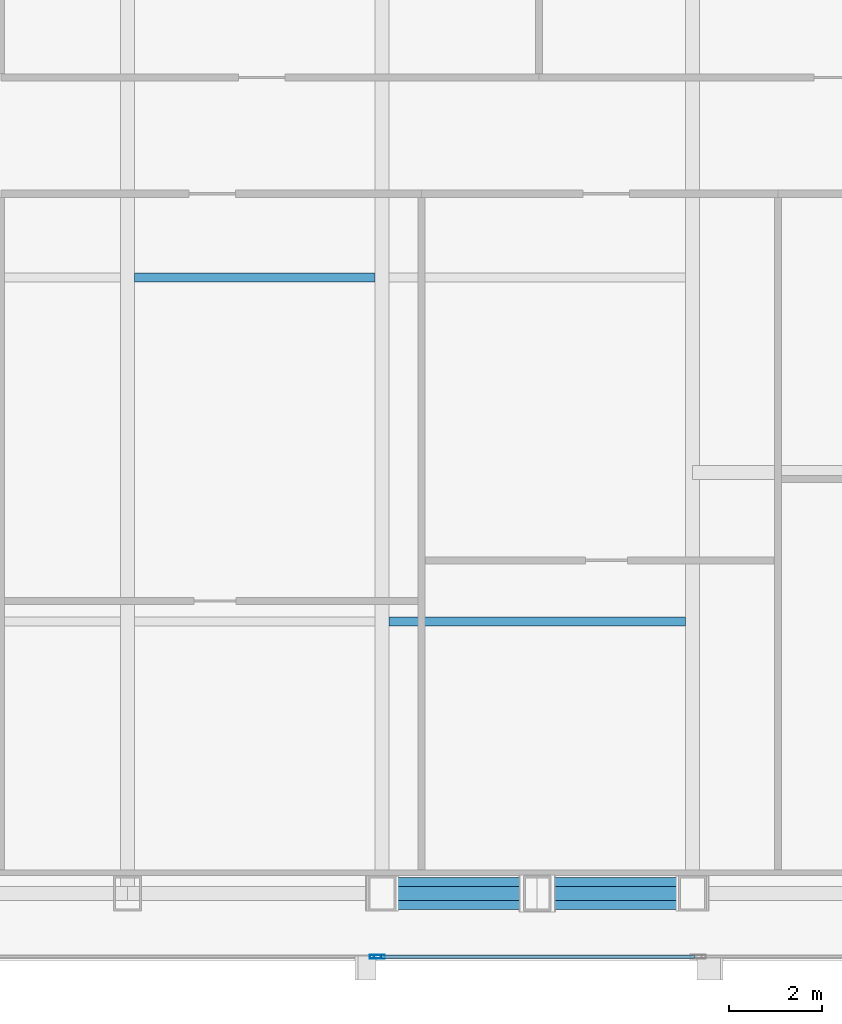
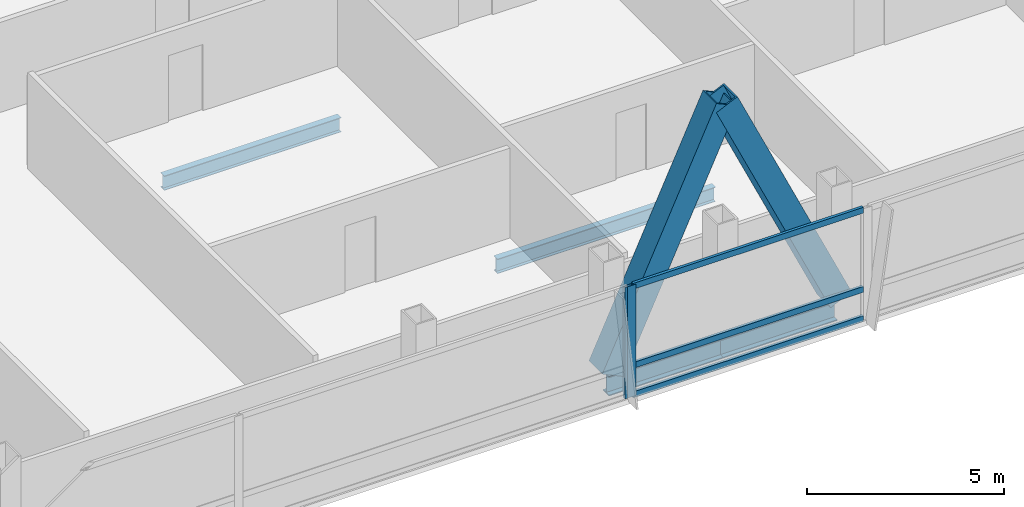
# One storey, part 14 of 32: 7 members, 4 beams, 2 elements without a shape of their own.
"""IFC4 building model written with IfcOpenShell, lengths in metres."""

import ifcopenshell
import ifcopenshell.guid

model = None  # the IFC model being written
_history = None  # IfcOwnerHistory: only IFC2X3 demands one
_inside = {}  # id of a spatial element -> (the spatial element, [elements in it])
_under = {}  # id of a project, library or spatial element -> (it, [spatial elements below it])
_declared = {}  # id of a project -> (the project, [libraries it declares])
_typed = {}  # id of a type object -> (the type object, [elements of that type])
_made_of = {}  # id of a material, layer set ... -> (it, [elements and type objects made of it])


def new_model(schema):
    """Start an empty IFC model of exactly this schema.

    Asked for "IFC4X3", IfcOpenShell would pick the latest addendum, in which some entities
    have other attributes; the version numbers below select the first issue.
    IFC2X3 requires an IfcOwnerHistory on every rooted entity: one is made here for all.
    """
    global model, _history
    if schema == "IFC4X3":
        model = ifcopenshell.file(schema_version=(4, 3, 0, 0))
    else:
        model = ifcopenshell.file(schema=schema)
    _inside.clear()
    _under.clear()
    _declared.clear()
    _typed.clear()
    _made_of.clear()
    _history = None
    if model.schema == "IFC2X3":
        org = make("IfcOrganization", Name="unknown")
        user = make(
            "IfcPersonAndOrganization",
            ThePerson=make("IfcPerson", FamilyName="unknown"),
            TheOrganization=org,
        )
        app = make(
            "IfcApplication",
            ApplicationDeveloper=org,
            Version="unknown",
            ApplicationFullName="unknown",
            ApplicationIdentifier="unknown",
        )
        _history = make(
            "IfcOwnerHistory",
            OwningUser=user,
            OwningApplication=app,
            ChangeAction="ADDED",
            CreationDate=0,
        )
    return model


def make(cls, **values):
    """One entity of the class cls with the attributes given. An attribute that is None is left unset."""
    return model.create_entity(
        cls, **{name: value for name, value in values.items() if value is not None}
    )


def rooted(cls, **values):
    """An entity with a GlobalId (a new one), such as an element, a storey or a relation."""
    return make(cls, GlobalId=ifcopenshell.guid.new(), OwnerHistory=_history, **values)


def si_unit(unit_type, name, prefix=None):
    """IfcSIUnit, for example si_unit("LENGTHUNIT", "METRE", prefix="MILLI")."""
    return make("IfcSIUnit", UnitType=unit_type, Prefix=prefix, Name=name)


def assignment(units):
    """IfcUnitAssignment: the units of a project."""
    return None if units is None else make("IfcUnitAssignment", Units=units)


def point(xyz):
    """IfcCartesianPoint."""
    return None if xyz is None else make("IfcCartesianPoint", Coordinates=xyz)


def direction(xyz):
    """IfcDirection."""
    return None if xyz is None else make("IfcDirection", DirectionRatios=xyz)


def frame(location, z_axis=None, x_axis=None):
    """IfcAxis2Placement3D, a coordinate frame: its origin and axes. An axis left out is left unset."""
    return make(
        "IfcAxis2Placement3D",
        Location=point(location),
        Axis=direction(z_axis),
        RefDirection=direction(x_axis),
    )


def frame_2d(location, x_axis=None):
    """IfcAxis2Placement2D, a coordinate frame in the plane: its origin and x axis."""
    return make(
        "IfcAxis2Placement2D", Location=point(location), RefDirection=direction(x_axis)
    )


def origin():
    """The frame at (0, 0, 0) with its axes left unset."""
    return frame((0.0, 0.0, 0.0))


def origin_2d():
    """The frame at (0, 0) in the plane with its x axis left unset."""
    return frame_2d((0.0, 0.0))


def place(relative_to, where):
    """IfcLocalPlacement: puts the frame where relative to a parent placement (None: the world)."""
    return make(
        "IfcLocalPlacement", PlacementRelTo=relative_to, RelativePlacement=where
    )


def context(
    kind, dimensions, precision=None, world=None, true_north=None, identifier=None
):
    """IfcGeometricRepresentationContext, for example the 3D "Model" context."""
    return make(
        "IfcGeometricRepresentationContext",
        ContextIdentifier=identifier,
        ContextType=kind,
        CoordinateSpaceDimension=dimensions,
        Precision=precision,
        WorldCoordinateSystem=world,
        TrueNorth=true_north,
    )


def subcontext(parent, identifier, kind, view, scale=None):
    """IfcGeometricRepresentationSubContext, for example "Body" below "Model"."""
    return make(
        "IfcGeometricRepresentationSubContext",
        ContextIdentifier=identifier,
        ContextType=kind,
        ParentContext=parent,
        TargetScale=scale,
        TargetView=view,
    )


def project(units=None, contexts=None):
    """IfcProject with its units and contexts."""
    return rooted(
        "IfcProject",
        Name="project",
        RepresentationContexts=contexts,
        UnitsInContext=assignment(units),
    )


def spatial(cls, under=None, at=None, **own):
    """A site, building, storey or space (cls), placed at a placement, below another one or the project."""
    s = rooted(cls, ObjectPlacement=at, **own)
    if under is not None:
        _under.setdefault(under.id(), (under, []))[1].append(s)
    return s


def profile(cls, at=None, kind="AREA", **sizes):
    """A parametric profile (cls). Its sizes go by their IFC names, for example OverallWidth=200.0."""
    return make(cls, ProfileType=kind, Position=at, **sizes)


def hollow_rectangle(**sizes):
    """IfcRectangleHollowProfileDef."""
    return profile("IfcRectangleHollowProfileDef", **sizes)


def i_section(**sizes):
    """IfcIShapeProfileDef."""
    return profile("IfcIShapeProfileDef", **sizes)


def extrude(swept, where, along, depth):
    """IfcExtrudedAreaSolid: the profile swept, set in the frame where, extruded along a direction by depth."""
    return make(
        "IfcExtrudedAreaSolid",
        SweptArea=swept,
        Position=where,
        ExtrudedDirection=direction(along),
        Depth=depth,
    )


def shape(context_of_items, identifier, shape_type, items):
    """IfcShapeRepresentation: the items that make up one representation, for example the "Body"."""
    return make(
        "IfcShapeRepresentation",
        ContextOfItems=context_of_items,
        RepresentationIdentifier=identifier,
        RepresentationType=shape_type,
        Items=items,
    )


def material(Name=None, Category=None):
    """IfcMaterial."""
    return make("IfcMaterial", Name=Name, Category=Category)


def material_profile(
    of_material, cross_section, Name=None, Category=None, Priority=None
):
    """IfcMaterialProfile: a cross section and its material."""
    return make(
        "IfcMaterialProfile",
        Name=Name,
        Material=of_material,
        Profile=cross_section,
        Priority=Priority,
        Category=Category,
    )


def profile_set(profiles, Name=None, composite=None):
    """IfcMaterialProfileSet."""
    return make(
        "IfcMaterialProfileSet",
        Name=Name,
        MaterialProfiles=profiles,
        CompositeProfile=composite,
    )


def made_of(thing, what):
    """Note that an element or type object is made of a material, layer set ...; save() writes the relation."""
    if what is not None:
        _made_of.setdefault(what.id(), (what, []))[1].append(thing)
    return thing


def type_object(cls, material=None, **own):
    """A type object (cls), such as IfcWallType, which elements share."""
    return made_of(rooted(cls, **own), material)


def element(
    cls,
    number,
    at=None,
    inside=None,
    cuts=None,
    type_object=None,
    material=None,
    context=None,
    identifier="Body",
    shape_type=None,
    held_by="IfcProductDefinitionShape",
    body=None,
    shapes=None,
    **own,
):
    """One element of the class cls, such as IfcWall. Its Tag is "e" and its number.

    at: its placement. inside: the storey or other place that contains it. cuts: it is an
    opening in that element (IfcRelVoidsElement). A single representation is given by context,
    identifier, shape_type and body (its items); several are given by shapes. held_by: the class
    of the entity that holds the representations. save() writes the other relations.
    """
    e = rooted(cls, Tag="e%d" % number, ObjectPlacement=at, **own)
    if body is not None:
        shapes = [shape(context, identifier, shape_type, body)]
    if shapes is not None:
        e.Representation = make(held_by, Representations=shapes)
    if inside is not None:
        _inside.setdefault(inside.id(), (inside, []))[1].append(e)
    if cuts is not None:
        rooted(
            "IfcRelVoidsElement", RelatingBuildingElement=cuts, RelatedOpeningElement=e
        )
    if type_object is not None:
        _typed.setdefault(type_object.id(), (type_object, []))[1].append(e)
    return made_of(e, material)


def aggregate(whole, parts):
    """IfcRelAggregates: a whole, such as a stair, and the parts it consists of."""
    return rooted("IfcRelAggregates", RelatingObject=whole, RelatedObjects=parts)


def save(model, path):
    """Write the relations noted so far, then the file.

    IfcRelAggregates (storeys below a building ...), IfcRelContainedInSpatialStructure (elements
    in a storey), IfcRelDefinesByType, IfcRelAssociatesMaterial and IfcRelDeclares: one each for
    every whole, place, type object, material and project.
    """
    for whole, parts in _under.values():
        aggregate(whole, parts)
    for where, things in _inside.values():
        rooted(
            "IfcRelContainedInSpatialStructure",
            RelatedElements=things,
            RelatingStructure=where,
        )
    for kind, things in _typed.values():
        rooted("IfcRelDefinesByType", RelatedObjects=things, RelatingType=kind)
    for what, things in _made_of.values():
        rooted("IfcRelAssociatesMaterial", RelatedObjects=things, RelatingMaterial=what)
    for by, libraries in _declared.values():
        rooted("IfcRelDeclares", RelatingContext=by, RelatedDefinitions=libraries)
    model.write(path)


model = new_model("IFC4")

# Units and contexts
model_context = context("Model", 3, precision=1e-05, world=origin(), true_north=direction((0.0, 1.0)))
body_context = subcontext(model_context, "Body", "Model", "MODEL_VIEW")
ifc_project = project(units=[si_unit("LENGTHUNIT", "METRE"), si_unit("AREAUNIT", "SQUARE_METRE"), si_unit("VOLUMEUNIT", "CUBIC_METRE"), si_unit("PLANEANGLEUNIT", "RADIAN"), si_unit("MASSUNIT", "GRAM", prefix="KILO")], contexts=[model_context])

# Site, building, storey
site_placement = place(None, origin())
site = spatial("IfcSite", under=ifc_project, at=site_placement, CompositionType="ELEMENT")
building_placement = place(site_placement, origin())
building = spatial("IfcBuilding", under=site, at=building_placement, Name="Khoronbel Lancet Exchange", CompositionType="ELEMENT")
storey_placement = place(building_placement, frame((0.0, 0.0, 231.800048828125)))
storey = spatial("IfcBuildingStorey", under=building, at=storey_placement, Name="L59", CompositionType="ELEMENT", Elevation=231.800048828125)

# Beams
ifc_material_1 = material(Name="Steel S355", Category="steel")
ifc_material_profile_1 = material_profile(ifc_material_1, i_section(OverallWidth=0.18994140625, OverallDepth=0.449951171875, WebThickness=0.009521484375, FlangeThickness=0.0146484375, at=origin_2d()), Name="IPE 450")
ifc_profile_set_1 = profile_set([ifc_material_profile_1], Name="Steel S355")
beam_type_1 = type_object("IfcBeamType", Name="BM-BJ4", PredefinedType="JOIST", material=ifc_profile_set_1)
beam_1_placement = place(storey_placement, frame((48.14990234375, 16.0, -0.385009765625), z_axis=(1.0, 0.0, 0.0), x_axis=(0.0, 1.0, 0.0)))
element("IfcBeam", 1, at=beam_1_placement, inside=storey, type_object=beam_type_1, Name="Level L59 secondary composite joist J05", PredefinedType="JOIST", context=body_context, shape_type="SweptSolid", body=[
    extrude(i_section(OverallWidth=0.18994140625, OverallDepth=0.449951171875, WebThickness=0.009521484375, FlangeThickness=0.0146484375, at=origin_2d()), origin(), (0.0, 0.0, 1.0), 6.375),
])
beam_2_placement = place(storey_placement, frame((42.675048828125, 23.39990234375, -0.385009765625), z_axis=(1.0, 0.0, 0.0), x_axis=(0.0, 1.0, 0.0)))
element("IfcBeam", 2, at=beam_2_placement, inside=storey, type_object=beam_type_1, Name="Level L59 secondary composite joist J09", PredefinedType="JOIST", context=body_context, shape_type="SweptSolid", body=[
    extrude(i_section(OverallWidth=0.18994140625, OverallDepth=0.449951171875, WebThickness=0.009521484375, FlangeThickness=0.0146484375, at=origin_2d()), origin(), (0.0, 0.0, 1.0), 5.175048828125),
])
ifc_material_profile_2 = material_profile(ifc_material_1, i_section(OverallWidth=0.300048828125, OverallDepth=0.60009765625, WebThickness=0.015380859375, FlangeThickness=0.030029296875, at=origin_2d()), Name="HEB 600")
ifc_profile_set_2 = profile_set([ifc_material_profile_2], Name="Steel S355")
beam_type_2 = type_object("IfcBeamType", Name="BM-BSP2", PredefinedType="SPANDREL", material=ifc_profile_set_2)
beam_3_placement = place(storey_placement, frame((48.0, 10.14990234375, -0.4599609375), z_axis=(1.0, 0.0, 0.0), x_axis=(0.0, 1.0, 0.0)))
element("IfcBeam", 3, at=beam_3_placement, inside=storey, type_object=beam_type_2, Name="Level L59 perimeter spandrel beam SP07", PredefinedType="SPANDREL", context=body_context, shape_type="SweptSolid", body=[
    extrude(i_section(OverallWidth=0.300048828125, OverallDepth=0.60009765625, WebThickness=0.015380859375, FlangeThickness=0.030029296875, at=origin_2d()), origin(), (0.0, 0.0, 1.0), 3.33740234375),
])
beam_4_placement = place(storey_placement, frame((51.33740234375, 10.14990234375, -0.4599609375), z_axis=(1.0, 0.0, 0.0), x_axis=(0.0, 1.0, 0.0)))
element("IfcBeam", 4, at=beam_4_placement, inside=storey, type_object=beam_type_2, Name="Level L59 perimeter spandrel beam SP08", PredefinedType="SPANDREL", context=body_context, shape_type="SweptSolid", body=[
    extrude(i_section(OverallWidth=0.300048828125, OverallDepth=0.60009765625, WebThickness=0.015380859375, FlangeThickness=0.030029296875, at=origin_2d()), origin(), (0.0, 0.0, 1.0), 3.337646484375),
])

# Curtain wall, member
ifc_material_2 = material(Name="Low-E Solar Control Insulating Glass", Category="glass")
curtain_wall_type = type_object("IfcCurtainWallType", Name="CW-3", PredefinedType="NOTDEFINED", material=ifc_material_2)
curtain_wall_1_placement = place(storey_placement, origin())
curtain_wall_1 = element("IfcCurtainWall", 5, at=curtain_wall_1_placement, inside=storey, type_object=curtain_wall_type, Name="Unitised curtain wall CW-L59-SCV", PredefinedType="NOTDEFINED")
ifc_material_3 = material(Name="Bronze-Anodised Aluminium 6063-T6", Category="aluminium")
ifc_material_profile_3 = material_profile(ifc_material_3, hollow_rectangle(XDim=0.0849609375, YDim=0.239990234375, WallThickness=0.006103515625, at=origin_2d()), Name="ALU MULLION 85x240")
ifc_profile_set_3 = profile_set([ifc_material_profile_3], Name="Bronze-Anodised Aluminium 6063-T6")
member_type_1 = type_object("IfcMemberType", Name="MEM-CWM1", PredefinedType="MULLION", material=ifc_profile_set_3)
member_1_placement = place(storey_placement, frame((47.857421875, 8.7900390625, 0.0), z_axis=(0.0, 0.0, 1.0), x_axis=(0.0, 1.0, 0.0)))
member_1 = element("IfcMember", 6, at=member_1_placement, type_object=member_type_1, Name="CW3 mullion 3", PredefinedType="MULLION", context=body_context, shape_type="SweptSolid", body=[
    extrude(hollow_rectangle(XDim=0.0849609375, YDim=0.239990234375, WallThickness=0.006103515625, at=origin_2d()), origin(), (0.0, 0.0, 1.0), 3.43994140625),
])
aggregate(curtain_wall_1, [member_1])

# Curtain wall, members
curtain_wall_2_placement = place(storey_placement, origin())
curtain_wall_2 = element("IfcCurtainWall", 7, at=curtain_wall_2_placement, inside=storey, type_object=curtain_wall_type, Name="Unitised curtain wall CW-L59-SEB", PredefinedType="NOTDEFINED")
member_2_placement = place(storey_placement, frame((47.9423828125, 8.7900390625, 0.0), z_axis=(0.0, 0.0, 1.0), x_axis=(0.0, 1.0, 0.0)))
member_2 = element("IfcMember", 8, at=member_2_placement, type_object=member_type_1, Name="CW3 mullion 1", PredefinedType="MULLION", context=body_context, shape_type="SweptSolid", body=[
    extrude(hollow_rectangle(XDim=0.0849609375, YDim=0.239990234375, WallThickness=0.006103515625, at=origin_2d()), origin(), (0.0, 0.0, 1.0), 3.43994140625),
])
ifc_material_profile_4 = material_profile(ifc_material_3, hollow_rectangle(XDim=0.0849609375, YDim=0.179931640625, WallThickness=0.0048828125, at=origin_2d()), Name="ALU TRANSOM 85x180")
ifc_profile_set_4 = profile_set([ifc_material_profile_4], Name="Bronze-Anodised Aluminium 6063-T6")
member_type_2 = type_object("IfcMemberType", Name="MEM-CWT1", PredefinedType="USERDEFINED", material=ifc_profile_set_4)
member_3_placement = place(storey_placement, frame((47.985107421875, 8.7900390625, 0.04248046875), z_axis=(1.0, 0.0, 0.0), x_axis=(0.0, 1.0, 0.0)))
member_3 = element("IfcMember", 9, at=member_3_placement, type_object=member_type_2, Name="CW3 transom 1.1", ObjectType="TRANSOM", PredefinedType="USERDEFINED", context=body_context, shape_type="SweptSolid", body=[
    extrude(hollow_rectangle(XDim=0.0849609375, YDim=0.179931640625, WallThickness=0.0048828125, at=origin_2d()), origin(), (0.0, 0.0, 1.0), 6.72998046875),
])
member_4_placement = place(storey_placement, frame((47.985107421875, 8.7900390625, 0.949951171875), z_axis=(1.0, 0.0, 0.0), x_axis=(0.0, 1.0, 0.0)))
member_4 = element("IfcMember", 10, at=member_4_placement, type_object=member_type_2, Name="CW3 transom 1.2", ObjectType="TRANSOM", PredefinedType="USERDEFINED", context=body_context, shape_type="SweptSolid", body=[
    extrude(hollow_rectangle(XDim=0.0849609375, YDim=0.179931640625, WallThickness=0.0048828125, at=origin_2d()), origin(), (0.0, 0.0, 1.0), 6.72998046875),
])
member_5_placement = place(storey_placement, frame((47.985107421875, 8.7900390625, 3.3974609375), z_axis=(1.0, 0.0, 0.0), x_axis=(0.0, 1.0, 0.0)))
member_5 = element("IfcMember", 11, at=member_5_placement, type_object=member_type_2, Name="CW3 transom 1.3", ObjectType="TRANSOM", PredefinedType="USERDEFINED", context=body_context, shape_type="SweptSolid", body=[
    extrude(hollow_rectangle(XDim=0.0849609375, YDim=0.179931640625, WallThickness=0.0048828125, at=origin_2d()), origin(), (0.0, 0.0, 1.0), 6.72998046875),
])
aggregate(curtain_wall_2, [member_2, member_3, member_4, member_5])

# Members
ifc_material_4 = material(Name="Steel S460", Category="steel")
ifc_material_profile_5 = material_profile(ifc_material_4, hollow_rectangle(XDim=0.679931640625, YDim=0.679931640625, WallThickness=0.044921875, at=origin_2d()), Name="BOX 680x680x45")
ifc_profile_set_5 = profile_set([ifc_material_profile_5], Name="Steel S460")
member_type_3 = type_object("IfcMemberType", Name="MEM-MB3", PredefinedType="BRACE", material=ifc_profile_set_5)
member_6_placement = place(storey_placement, frame((48.0, 10.14990234375, 0.0), z_axis=(0.420548106082, 0.0, 0.907270241147), x_axis=(0.0, 1.0, 0.0)))
element("IfcMember", 12, at=member_6_placement, inside=storey, type_object=member_type_3, Name="Perimeter lancet brace tier 20 S-E-L", PredefinedType="BRACE", context=body_context, shape_type="SweptSolid", body=[
    extrude(hollow_rectangle(XDim=0.679931640625, YDim=0.679931640625, WallThickness=0.044921875, at=origin_2d()), origin(), (0.0, 0.0, 1.0), 7.935791015625),
])
member_7_placement = place(storey_placement, frame((54.675048828125, 10.14990234375, 0.0), z_axis=(-0.420573428903, 0.0, 0.907258502799), x_axis=(0.0, -1.0, 0.0)))
element("IfcMember", 13, at=member_7_placement, inside=storey, type_object=member_type_3, Name="Perimeter lancet brace tier 20 S-E-R", PredefinedType="BRACE", context=body_context, shape_type="SweptSolid", body=[
    extrude(hollow_rectangle(XDim=0.679931640625, YDim=0.679931640625, WallThickness=0.044921875, at=origin_2d()), origin(), (0.0, 0.0, 1.0), 7.93603515625),
])

save(model, "model.ifc")
